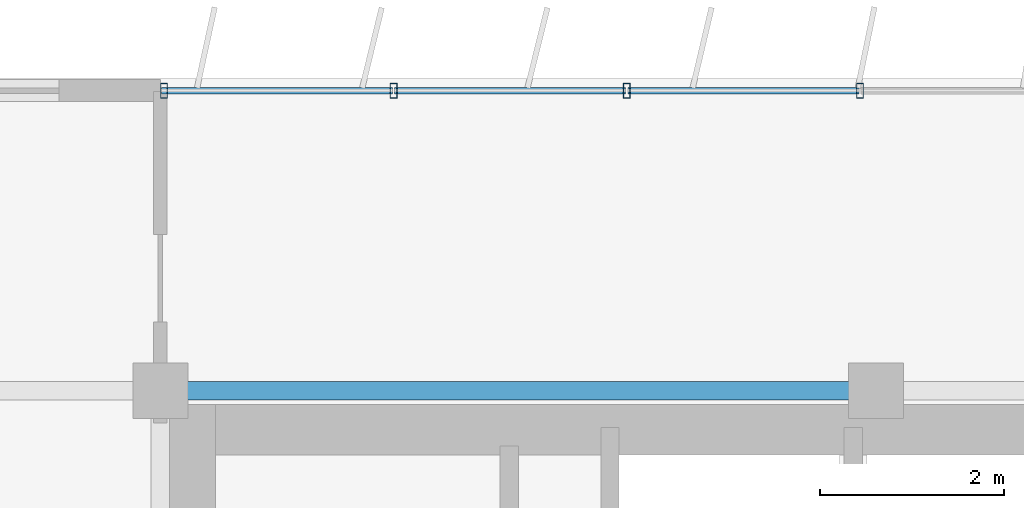
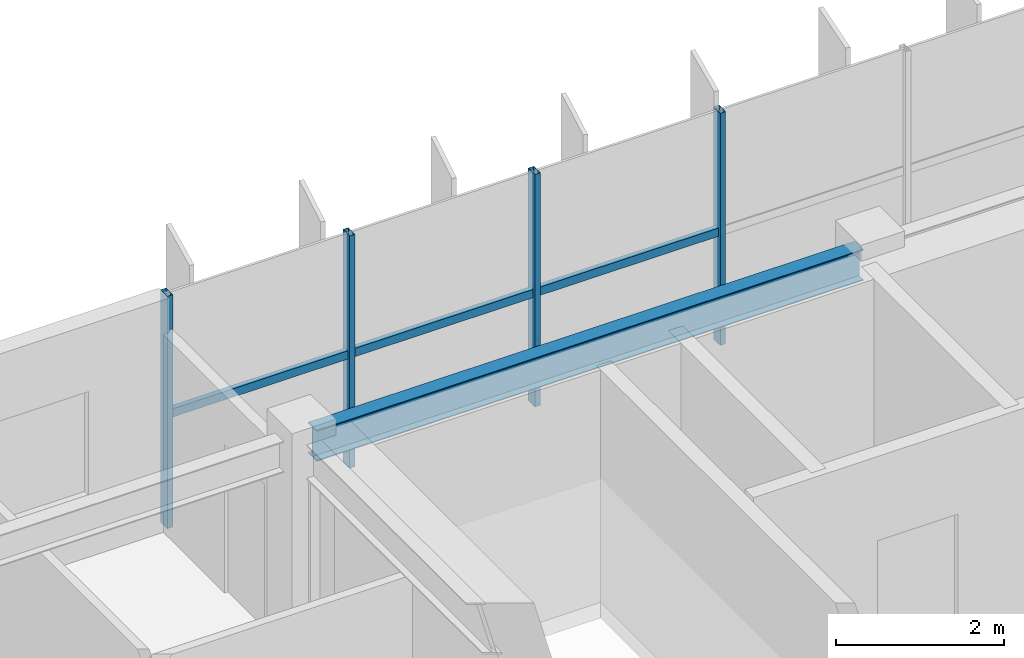
# One storey, part 6 of 23: 7 members, 1 beam, 1 element without a shape of its own.
"""IFC4 building model written with IfcOpenShell, lengths in metres."""

from ifc_helpers import new_model, si_unit, direction, frame, origin, origin_2d, place, context, subcontext, project, spatial, hollow_rectangle, i_section, extrude, source, transform, mapped, material, material_profile, profile_set, type_object, element, aggregate, save


model = new_model("IFC4")

# Units and contexts
model_context = context("Model", 3, precision=1e-05, world=origin(), true_north=direction((0.0, 1.0)))
body_context = subcontext(model_context, "Body", "Model", "MODEL_VIEW")
ifc_project = project(units=[si_unit("LENGTHUNIT", "METRE"), si_unit("AREAUNIT", "SQUARE_METRE"), si_unit("VOLUMEUNIT", "CUBIC_METRE"), si_unit("PLANEANGLEUNIT", "RADIAN"), si_unit("MASSUNIT", "GRAM", prefix="KILO")], contexts=[model_context])

# Site, building, storey
site_placement = place(None, origin())
site = spatial("IfcSite", under=ifc_project, at=site_placement, CompositionType="ELEMENT")
building_placement = place(site_placement, origin())
building = spatial("IfcBuilding", under=site, at=building_placement, Name="Trelvane Seafront Commons", CompositionType="ELEMENT")
storey_placement = place(building_placement, frame((0.0, 0.0, 259.5)))
storey = spatial("IfcBuildingStorey", under=building, at=storey_placement, Name="L67", CompositionType="ELEMENT", Elevation=259.5)

# Beam
ifc_material_1 = material(Name="Steel SM355 (S355)", Category="steel")
ifc_material_profile_1 = material_profile(ifc_material_1, i_section(OverallWidth=0.199951171875, OverallDepth=0.449951171875, WebThickness=0.009033203125, FlangeThickness=0.013916015625, at=origin_2d()), Name="H-450x200x9x14")
ifc_profile_set_1 = profile_set([ifc_material_profile_1], Name="Steel SM355 (S355)")
beam_type = type_object("IfcBeamType", Name="STR-SPD-H450", PredefinedType="SPANDREL", material=ifc_profile_set_1)
shared_shape_1 = source(origin(), body_context, "Body", "SweptSolid", [
    extrude(i_section(OverallWidth=0.199951171875, OverallDepth=0.449951171875, WebThickness=0.009033203125, FlangeThickness=0.013916015625, at=origin_2d()), origin(), (0.0, 0.0, 1.0), 7.5),
])
beam_placement = place(storey_placement, frame((15.75, 45.10009765625, 3.14501953125), z_axis=(1.0, 0.0, 0.0), x_axis=(0.0, 1.0, 0.0)))
element("IfcBeam", 1, at=beam_placement, inside=storey, type_object=beam_type, Name="L67 Primary Girder G-23", PredefinedType="SPANDREL", context=body_context, shape_type="MappedRepresentation", body=[
    mapped(shared_shape_1, transform((0.0, 0.0, 0.0), x_axis=(1.0, 0.0, 0.0), y_axis=(0.0, 1.0, 0.0), z_axis=(0.0, 0.0, 1.0), scale=1.0)),
])

# Curtain wall, members
ifc_material_2 = material(Name="Anodised pale-silver aluminium", Category="aluminium")
curtain_wall_type = type_object("IfcCurtainWallType", Name="ARCH-CW5-UPTOWER", PredefinedType="NOTDEFINED", material=ifc_material_2)
curtain_wall_placement = place(storey_placement, origin())
curtain_wall = element("IfcCurtainWall", 2, at=curtain_wall_placement, inside=storey, type_object=curtain_wall_type, Name="CW-L67-0111", PredefinedType="NOTDEFINED")
ifc_material_profile_2 = material_profile(ifc_material_2, hollow_rectangle(XDim=0.070068359375, YDim=0.1201171875, WallThickness=0.00390625, at=origin_2d()), Name="TRAN-70x120x4")
ifc_profile_set_2 = profile_set([ifc_material_profile_2], Name="Anodised pale-silver aluminium")
member_type_1 = type_object("IfcMemberType", Name="ARCH-CW-TRAN-120", PredefinedType="USERDEFINED", material=ifc_profile_set_2)
shared_shape_2 = source(origin(), body_context, "Body", "SweptSolid", [
    extrude(hollow_rectangle(XDim=0.070068359375, YDim=0.1201171875, WallThickness=0.00390625, at=origin_2d()), origin(), (0.0, 0.0, 1.0), 2.51708984375),
])
member_1_placement = place(storey_placement, frame((15.612060546875, 48.3701171875, 1.617919921875), z_axis=(1.0, 0.0, 0.0), x_axis=(0.0, 1.0, 0.0)))
member_1 = element("IfcMember", 3, at=member_1_placement, type_object=member_type_1, Name="CW-L67-0111-T00", ObjectType="TRANSOM", PredefinedType="USERDEFINED", context=body_context, shape_type="MappedRepresentation", body=[
    mapped(shared_shape_2, transform((0.0, 0.0, 0.0), x_axis=(1.0, 0.0, 0.0), y_axis=(0.0, 1.0, 0.0), z_axis=(0.0, 0.0, 1.0), scale=1.0)),
])
member_2_placement = place(storey_placement, frame((18.1533203125, 48.3701171875, 1.617919921875), z_axis=(1.0, 0.0, 0.0), x_axis=(0.0, 1.0, 0.0)))
member_2 = element("IfcMember", 4, at=member_2_placement, type_object=member_type_1, Name="CW-L67-0111-T01", ObjectType="TRANSOM", PredefinedType="USERDEFINED", context=body_context, shape_type="MappedRepresentation", body=[
    mapped(shared_shape_2, transform((0.0, 0.0, 0.0), x_axis=(1.0, 0.0, 0.0), y_axis=(0.0, 1.0, 0.0), z_axis=(0.0, 0.0, 1.0), scale=1.0)),
])
member_3_placement = place(storey_placement, frame((20.6943359375, 48.3701171875, 1.617919921875), z_axis=(1.0, 0.0, 0.0), x_axis=(0.0, 1.0, 0.0)))
member_3 = element("IfcMember", 5, at=member_3_placement, type_object=member_type_1, Name="CW-L67-0111-T02", ObjectType="TRANSOM", PredefinedType="USERDEFINED", context=body_context, shape_type="MappedRepresentation", body=[
    mapped(shared_shape_2, transform((0.0, 0.0, 0.0), x_axis=(1.0, 0.0, 0.0), y_axis=(0.0, 1.0, 0.0), z_axis=(0.0, 0.0, 1.0), scale=1.0)),
])
ifc_material_profile_3 = material_profile(ifc_material_2, hollow_rectangle(XDim=0.074951171875, YDim=0.159912109375, WallThickness=0.00390625, at=origin_2d()), Name="MULL-75x160x4")
ifc_profile_set_3 = profile_set([ifc_material_profile_3], Name="Anodised pale-silver aluminium")
member_type_2 = type_object("IfcMemberType", Name="ARCH-CW-MULL-160", PredefinedType="MULLION", material=ifc_profile_set_3)
shared_shape_3 = source(origin(), body_context, "Body", "SweptSolid", [
    extrude(hollow_rectangle(XDim=0.074951171875, YDim=0.159912109375, WallThickness=0.00390625, at=origin_2d()), origin(), (0.0, 0.0, 1.0), 3.3701171875),
])
member_4_placement = place(storey_placement, frame((15.639892578125, 48.3701171875, 0.0), z_axis=(0.0, 0.0, 1.0), x_axis=(1.0, 0.0, 0.0)))
member_4 = element("IfcMember", 6, at=member_4_placement, type_object=member_type_2, Name="CW-L67-0111-M00", PredefinedType="MULLION", context=body_context, shape_type="MappedRepresentation", body=[
    mapped(shared_shape_3, transform((0.0, 0.0, 0.0), x_axis=(1.0, 0.0, 0.0), y_axis=(0.0, 1.0, 0.0), z_axis=(0.0, 0.0, 1.0), scale=1.0)),
])
member_5_placement = place(storey_placement, frame((18.14111328125, 48.3701171875, 0.0), z_axis=(0.0, 0.0, 1.0), x_axis=(1.0, 0.0, 0.0)))
member_5 = element("IfcMember", 7, at=member_5_placement, type_object=member_type_2, Name="CW-L67-0111-M01", PredefinedType="MULLION", context=body_context, shape_type="MappedRepresentation", body=[
    mapped(shared_shape_3, transform((0.0, 0.0, 0.0), x_axis=(1.0, 0.0, 0.0), y_axis=(0.0, 1.0, 0.0), z_axis=(0.0, 0.0, 1.0), scale=1.0)),
])
member_6_placement = place(storey_placement, frame((20.682373046875, 48.3701171875, 0.0), z_axis=(0.0, 0.0, 1.0), x_axis=(1.0, 0.0, 0.0)))
member_6 = element("IfcMember", 8, at=member_6_placement, type_object=member_type_2, Name="CW-L67-0111-M02", PredefinedType="MULLION", context=body_context, shape_type="MappedRepresentation", body=[
    mapped(shared_shape_3, transform((0.0, 0.0, 0.0), x_axis=(1.0, 0.0, 0.0), y_axis=(0.0, 1.0, 0.0), z_axis=(0.0, 0.0, 1.0), scale=1.0)),
])
member_7_placement = place(storey_placement, frame((23.223388671875, 48.3701171875, 0.0), z_axis=(0.0, 0.0, 1.0), x_axis=(1.0, 0.0, 0.0)))
member_7 = element("IfcMember", 9, at=member_7_placement, type_object=member_type_2, Name="CW-L67-0111-M03", PredefinedType="MULLION", context=body_context, shape_type="MappedRepresentation", body=[
    mapped(shared_shape_3, transform((0.0, 0.0, 0.0), x_axis=(1.0, 0.0, 0.0), y_axis=(0.0, 1.0, 0.0), z_axis=(0.0, 0.0, 1.0), scale=1.0)),
])
aggregate(curtain_wall, [member_4, member_5, member_6, member_7, member_1, member_2, member_3])

save(model, "model.ifc")
